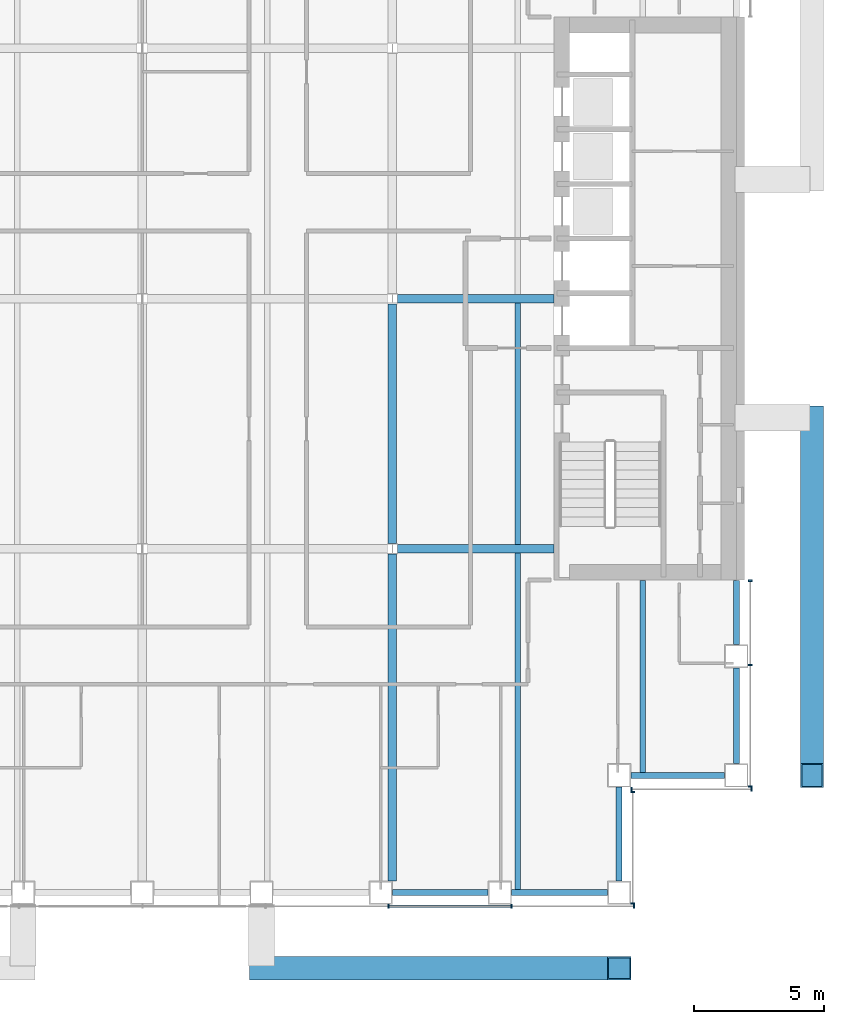
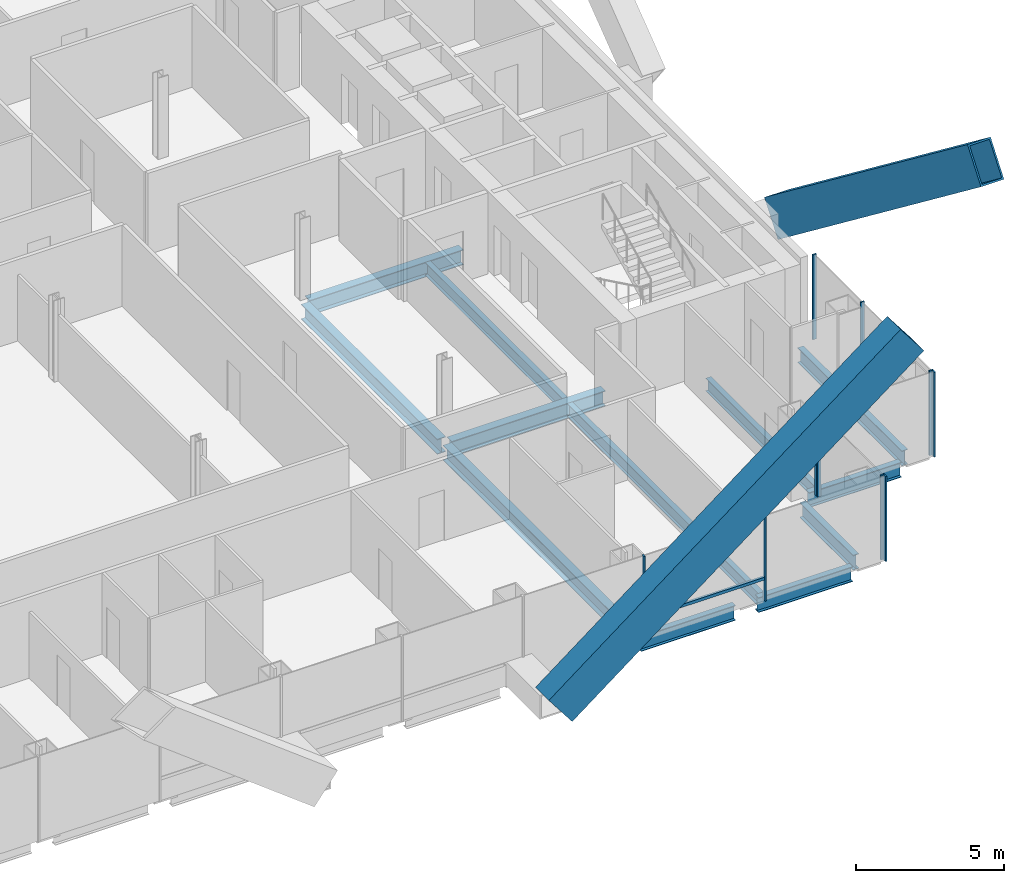
# One storey, part 5 of 17: 13 beams, 13 members, 4 elements without a shape of their own.
"""IFC4 building model written with IfcOpenShell, lengths in metres."""

from ifc_helpers import new_model, si_unit, direction, frame, origin, origin_2d, place, context, subcontext, project, spatial, rectangle, hollow_rectangle, i_section, extrude, material, material_profile, profile_set, type_object, element, aggregate, save


model = new_model("IFC4")

# Units and contexts
model_context = context("Model", 3, precision=1e-05, world=origin(), true_north=direction((0.0, 1.0)))
body_context = subcontext(model_context, "Body", "Model", "MODEL_VIEW")
ifc_project = project(units=[si_unit("LENGTHUNIT", "METRE"), si_unit("AREAUNIT", "SQUARE_METRE"), si_unit("VOLUMEUNIT", "CUBIC_METRE"), si_unit("PLANEANGLEUNIT", "RADIAN"), si_unit("MASSUNIT", "GRAM", prefix="KILO")], contexts=[model_context])

# Site, building, storey
site_placement = place(None, origin())
site = spatial("IfcSite", under=ifc_project, at=site_placement, CompositionType="ELEMENT")
building_placement = place(site_placement, origin())
building = spatial("IfcBuilding", under=site, at=building_placement, Name="Cobrizo Arcos Hotel Tower", CompositionType="ELEMENT")
storey_placement = place(building_placement, frame((0.0, 0.0, 106.5)))
storey = spatial("IfcBuildingStorey", under=building, at=storey_placement, Name="L26", CompositionType="ELEMENT", Elevation=106.5)

# Members
ifc_material_1 = material(Name="Steel ASTM A572 Grade 50", Category="steel")
ifc_material_profile_1 = material_profile(ifc_material_1, hollow_rectangle(XDim=0.89990234375, YDim=1.5, WallThickness=0.06494140625, at=origin_2d()), Name="BOX 900X1500X65")
ifc_profile_set_1 = profile_set([ifc_material_profile_1], Name="Steel ASTM A572 Grade 50")
member_type_1 = type_object("IfcMemberType", Name="BOX 900X1500X65 perimeter brace", PredefinedType="BRACE", material=ifc_profile_set_1)
for number, where, z_axis, x_axis, name in (
    (1, (25.699951171875, -4.574951171875, 0.5), (0.0, -0.794236712941, 0.607608462595), (1.0, 0.0, 0.0), "Perimeter brace PBR2, zone Z2, east face, no. 02"),
    (2, (4.574951171875, -25.699951171875, 0.5), (0.794236712941, 0.0, 0.607608462595), (0.0, 1.0, 0.0), "Perimeter brace PBR2, zone Z2, south face, no. 03"),
):
    element("IfcMember", number, at=place(storey_placement, frame(where, z_axis=z_axis, x_axis=x_axis)), inside=storey, type_object=member_type_1, Name=name, PredefinedType="BRACE", context=body_context, shape_type="SweptSolid", body=[
        extrude(hollow_rectangle(XDim=0.89990234375, YDim=1.5, WallThickness=0.06494140625, at=origin_2d()), origin(), (0.0, 0.0, 1.0), 17.28076171875),
    ])

# Curtain wall, members
ifc_material_2 = material(Name="Aluminium 6063-T6 anodised bronze", Category="aluminium")
curtain_wall_type = type_object("IfcCurtainWallType", Name="CW-A guest facade", PredefinedType="NOTDEFINED", material=ifc_material_2)
curtain_wall_1_placement = place(storey_placement, origin())
curtain_wall_1 = element("IfcCurtainWall", 3, at=curtain_wall_1_placement, inside=storey, type_object=curtain_wall_type, Name="CW-A L26 S face", PredefinedType="NOTDEFINED")
ifc_material_profile_2 = material_profile(ifc_material_2, rectangle(XDim=0.14990234375, YDim=0.06005859375, at=origin_2d()), Name="CW-A mullion 150x60")
ifc_profile_set_2 = profile_set([ifc_material_profile_2], Name="Aluminium 6063-T6 anodised bronze")
member_type_2 = type_object("IfcMemberType", Name="CW-A mullion 150x60", PredefinedType="MULLION", material=ifc_profile_set_2)
member_1_placement = place(storey_placement, frame((9.449951171875, -23.324951171875, 0.0), z_axis=(0.0, 0.0, 1.0), x_axis=(0.0, -1.0, 0.0)))
member_1 = element("IfcMember", 4, at=member_1_placement, type_object=member_type_2, Name="CW-A mullion 7", PredefinedType="MULLION", context=body_context, shape_type="SweptSolid", body=[
    extrude(rectangle(XDim=0.14990234375, YDim=0.06005859375, at=origin_2d()), origin(), (0.0, 0.0, 1.0), 3.5),
])
member_2_placement = place(storey_placement, frame((14.175048828125, -23.324951171875, 0.0), z_axis=(0.0, 0.0, 1.0), x_axis=(0.0, -1.0, 0.0)))
member_2 = element("IfcMember", 5, at=member_2_placement, type_object=member_type_2, Name="CW-A mullion 8", PredefinedType="MULLION", context=body_context, shape_type="SweptSolid", body=[
    extrude(rectangle(XDim=0.14990234375, YDim=0.06005859375, at=origin_2d()), origin(), (0.0, 0.0, 1.0), 3.5),
])
member_3_placement = place(storey_placement, frame((18.8701171875, -23.324951171875, 0.0), z_axis=(0.0, 0.0, 1.0), x_axis=(0.0, -1.0, 0.0)))
member_3 = element("IfcMember", 6, at=member_3_placement, type_object=member_type_2, Name="CW-A mullion 9", PredefinedType="MULLION", context=body_context, shape_type="SweptSolid", body=[
    extrude(rectangle(XDim=0.14990234375, YDim=0.06005859375, at=origin_2d()), origin(), (0.0, 0.0, 1.0), 3.5),
])

curtain_wall_2_placement = place(storey_placement, origin())
curtain_wall_2 = element("IfcCurtainWall", 7, at=curtain_wall_2_placement, inside=storey, type_object=curtain_wall_type, Name="CW-A L26 E face", PredefinedType="NOTDEFINED")
member_4_placement = place(storey_placement, frame((18.824951171875, -23.219970703125, 0.0), z_axis=(0.0, 0.0, 1.0), x_axis=(1.0, 0.0, 0.0)))
member_4 = element("IfcMember", 8, at=member_4_placement, type_object=member_type_2, Name="CW-A mullion 1", PredefinedType="MULLION", context=body_context, shape_type="SweptSolid", body=[
    extrude(rectangle(XDim=0.14990234375, YDim=0.06005859375, at=origin_2d()), origin(), (0.0, 0.0, 1.0), 3.5),
])
member_5_placement = place(storey_placement, frame((18.824951171875, -18.929931640625, 0.0), z_axis=(0.0, 0.0, 1.0), x_axis=(1.0, 0.0, 0.0)))
member_5 = element("IfcMember", 9, at=member_5_placement, type_object=member_type_2, Name="CW-A mullion 2", PredefinedType="MULLION", context=body_context, shape_type="SweptSolid", body=[
    extrude(rectangle(XDim=0.14990234375, YDim=0.06005859375, at=origin_2d()), origin(), (0.0, 0.0, 1.0), 3.5),
])
aggregate(curtain_wall_2, [member_4, member_5])

curtain_wall_3_placement = place(storey_placement, origin())
curtain_wall_3 = element("IfcCurtainWall", 10, at=curtain_wall_3_placement, inside=storey, type_object=curtain_wall_type, Name="CW-A L26 S face", PredefinedType="NOTDEFINED")
member_6_placement = place(storey_placement, frame((18.780029296875, -18.824951171875, 0.0), z_axis=(0.0, 0.0, 1.0), x_axis=(0.0, -1.0, 0.0)))
member_6 = element("IfcMember", 11, at=member_6_placement, type_object=member_type_2, Name="CW-A mullion 1", PredefinedType="MULLION", context=body_context, shape_type="SweptSolid", body=[
    extrude(rectangle(XDim=0.14990234375, YDim=0.06005859375, at=origin_2d()), origin(), (0.0, 0.0, 1.0), 3.5),
])
member_7_placement = place(storey_placement, frame((23.3701171875, -18.824951171875, 0.0), z_axis=(0.0, 0.0, 1.0), x_axis=(0.0, -1.0, 0.0)))
member_7 = element("IfcMember", 12, at=member_7_placement, type_object=member_type_2, Name="CW-A mullion 2", PredefinedType="MULLION", context=body_context, shape_type="SweptSolid", body=[
    extrude(rectangle(XDim=0.14990234375, YDim=0.06005859375, at=origin_2d()), origin(), (0.0, 0.0, 1.0), 3.5),
])
aggregate(curtain_wall_3, [member_6, member_7])

curtain_wall_4_placement = place(storey_placement, origin())
curtain_wall_4 = element("IfcCurtainWall", 13, at=curtain_wall_4_placement, inside=storey, type_object=curtain_wall_type, Name="CW-A L26 E face", PredefinedType="NOTDEFINED")
member_8_placement = place(storey_placement, frame((23.324951171875, -18.719970703125, 0.0), z_axis=(0.0, 0.0, 1.0), x_axis=(1.0, 0.0, 0.0)))
member_8 = element("IfcMember", 14, at=member_8_placement, type_object=member_type_2, Name="CW-A mullion 1", PredefinedType="MULLION", context=body_context, shape_type="SweptSolid", body=[
    extrude(rectangle(XDim=0.14990234375, YDim=0.06005859375, at=origin_2d()), origin(), (0.0, 0.0, 1.0), 3.5),
])
member_9_placement = place(storey_placement, frame((23.324951171875, -14.0625, 0.0), z_axis=(0.0, 0.0, 1.0), x_axis=(1.0, 0.0, 0.0)))
member_9 = element("IfcMember", 15, at=member_9_placement, type_object=member_type_2, Name="CW-A mullion 2", PredefinedType="MULLION", context=body_context, shape_type="SweptSolid", body=[
    extrude(rectangle(XDim=0.14990234375, YDim=0.06005859375, at=origin_2d()), origin(), (0.0, 0.0, 1.0), 3.5),
])
member_10_placement = place(storey_placement, frame((23.324951171875, -10.830078125, 0.0), z_axis=(0.0, 0.0, 1.0), x_axis=(1.0, 0.0, 0.0)))
member_10 = element("IfcMember", 16, at=member_10_placement, type_object=member_type_2, Name="CW-A mullion 3", PredefinedType="MULLION", context=body_context, shape_type="SweptSolid", body=[
    extrude(rectangle(XDim=0.14990234375, YDim=0.06005859375, at=origin_2d()), origin(), (0.0, 0.0, 1.0), 3.5),
])
aggregate(curtain_wall_4, [member_8, member_9, member_10])

# Member
ifc_material_profile_3 = material_profile(ifc_material_2, rectangle(XDim=0.10009765625, YDim=0.1201171875, at=origin_2d()), Name="CW-A transom 120x100")
ifc_profile_set_3 = profile_set([ifc_material_profile_3], Name="Aluminium 6063-T6 anodised bronze")
member_type_3 = type_object("IfcMemberType", Name="CW-A transom 120x100", PredefinedType="USERDEFINED", material=ifc_profile_set_3)
member_11_placement = place(storey_placement, frame((9.47998046875, -23.324951171875, 0.929931640625), z_axis=(1.0, 0.0, 0.0), x_axis=(0.0, 1.0, 0.0)))
member_11 = element("IfcMember", 17, at=member_11_placement, type_object=member_type_3, Name="CW-A transom 1017", ObjectType="TRANSOM", PredefinedType="USERDEFINED", context=body_context, shape_type="SweptSolid", body=[
    extrude(rectangle(XDim=0.10009765625, YDim=0.1201171875, at=origin_2d()), origin(), (0.0, 0.0, 1.0), 4.6650390625),
])

aggregate(curtain_wall_1, [member_1, member_2, member_3, member_11])

# Beams
ifc_material_3 = material(Name="Steel ASTM A992 Grade 50", Category="steel")
ifc_material_profile_4 = material_profile(ifc_material_3, i_section(OverallWidth=0.209228515625, OverallDepth=0.533447265625, WebThickness=0.01025390625, FlangeThickness=0.015625, at=origin_2d()), Name="W21X62")
ifc_profile_set_4 = profile_set([ifc_material_profile_4], Name="Steel ASTM A992 Grade 50")
beam_type_1 = type_object("IfcBeamType", Name="W21X62 joist", PredefinedType="JOIST", material=ifc_profile_set_4)
beam_1_placement = place(storey_placement, frame((14.39990234375, -22.7099609375, -0.416748046875), z_axis=(0.0, 1.0, 0.0), x_axis=(-1.0, 0.0, 0.0)))
element("IfcBeam", 18, at=beam_1_placement, inside=storey, type_object=beam_type_1, Name="Floor joist J1, L26, no. 015", PredefinedType="JOIST", context=body_context, shape_type="SweptSolid", body=[
    extrude(i_section(OverallWidth=0.209228515625, OverallDepth=0.533447265625, WebThickness=0.01025390625, FlangeThickness=0.015625, at=origin_2d()), origin(), (0.0, 0.0, 1.0), 12.946044921875),
])
beam_2_placement = place(storey_placement, frame((14.39990234375, -9.43603515625, -0.416748046875), z_axis=(0.0, 1.0, 0.0), x_axis=(-1.0, 0.0, 0.0)))
element("IfcBeam", 19, at=beam_2_placement, inside=storey, type_object=beam_type_1, Name="Floor joist J1, L26, no. 016", PredefinedType="JOIST", context=body_context, shape_type="SweptSolid", body=[
    extrude(i_section(OverallWidth=0.209228515625, OverallDepth=0.533447265625, WebThickness=0.01025390625, FlangeThickness=0.015625, at=origin_2d()), origin(), (0.0, 0.0, 1.0), 9.272216796875),
])
beam_3_placement = place(storey_placement, frame((19.199951171875, -18.2099609375, -0.416748046875), z_axis=(0.0, 1.0, 0.0), x_axis=(-1.0, 0.0, 0.0)))
element("IfcBeam", 20, at=beam_3_placement, inside=storey, type_object=beam_type_1, Name="Floor joist J1, L26, no. 019", PredefinedType="JOIST", context=body_context, shape_type="SweptSolid", body=[
    extrude(i_section(OverallWidth=0.209228515625, OverallDepth=0.533447265625, WebThickness=0.01025390625, FlangeThickness=0.015625, at=origin_2d()), origin(), (0.0, 0.0, 1.0), 7.39990234375),
])
ifc_material_profile_5 = material_profile(ifc_material_3, i_section(OverallWidth=0.32763671875, OverallDepth=0.622314453125, WebThickness=0.015380859375, FlangeThickness=0.0244140625, at=origin_2d()), Name="W24X131")
ifc_profile_set_5 = profile_set([ifc_material_profile_5], Name="Steel ASTM A992 Grade 50")
beam_type_2 = type_object("IfcBeamType", Name="W24X131 girder", PredefinedType="BEAM", material=ifc_profile_set_5)
for number, where, z_axis, x_axis, name in (
    (21, (9.79931640625, -9.60009765625, -0.461181640625), (1.0, 0.0, 0.0), (0.0, 1.0, 0.0), "Floor girder G1, L26, no. 004"),
    (22, (9.79931640625, 0.0, -0.461181640625), (1.0, 0.0, 0.0), (0.0, 1.0, 0.0), "Floor girder G1, L26, no. 008"),
):
    element("IfcBeam", number, at=place(storey_placement, frame(where, z_axis=z_axis, x_axis=x_axis)), inside=storey, type_object=beam_type_2, Name=name, PredefinedType="BEAM", context=body_context, shape_type="SweptSolid", body=[
        extrude(i_section(OverallWidth=0.32763671875, OverallDepth=0.622314453125, WebThickness=0.015380859375, FlangeThickness=0.0244140625, at=origin_2d()), origin(), (0.0, 0.0, 1.0), 5.99072265625),
    ])
beam_4_placement = place(storey_placement, frame((9.60009765625, -22.35009765625, -0.461181640625), z_axis=(0.0, 1.0, 0.0), x_axis=(-1.0, 0.0, 0.0)))
element("IfcBeam", 23, at=beam_4_placement, inside=storey, type_object=beam_type_2, Name="Floor girder G1, L26, no. 021", PredefinedType="BEAM", context=body_context, shape_type="SweptSolid", body=[
    extrude(i_section(OverallWidth=0.32763671875, OverallDepth=0.622314453125, WebThickness=0.015380859375, FlangeThickness=0.0244140625, at=origin_2d()), origin(), (0.0, 0.0, 1.0), 12.55078125),
])
beam_5_placement = place(storey_placement, frame((9.60009765625, -9.400634765625, -0.461181640625), z_axis=(0.0, 1.0, 0.0), x_axis=(-1.0, 0.0, 0.0)))
element("IfcBeam", 24, at=beam_5_placement, inside=storey, type_object=beam_type_2, Name="Floor girder G1, L26, no. 022", PredefinedType="BEAM", context=body_context, shape_type="SweptSolid", body=[
    extrude(i_section(OverallWidth=0.32763671875, OverallDepth=0.622314453125, WebThickness=0.015380859375, FlangeThickness=0.0244140625, at=origin_2d()), origin(), (0.0, 0.0, 1.0), 9.201171875),
])
ifc_material_profile_6 = material_profile(ifc_material_3, i_section(OverallWidth=0.23046875, OverallDepth=0.6171875, WebThickness=0.01318359375, FlangeThickness=0.022216796875, at=origin_2d()), Name="W24X94")
ifc_profile_set_6 = profile_set([ifc_material_profile_6], Name="Steel ASTM A992 Grade 50")
beam_type_3 = type_object("IfcBeamType", Name="W24X94 spandrel", PredefinedType="SPANDREL", material=ifc_profile_set_6)
beam_6_placement = place(storey_placement, frame((9.60009765625, -22.800048828125, -0.45849609375), z_axis=(1.0, 0.0, 0.0), x_axis=(0.0, 1.0, 0.0)))
element("IfcBeam", 25, at=beam_6_placement, inside=storey, type_object=beam_type_3, Name="Spandrel beam W24X94, L26, no. 007", PredefinedType="SPANDREL", context=body_context, shape_type="SweptSolid", body=[
    extrude(i_section(OverallWidth=0.23046875, OverallDepth=0.6171875, WebThickness=0.01318359375, FlangeThickness=0.022216796875, at=origin_2d()), origin(), (0.0, 0.0, 1.0), 3.6748046875),
])
beam_7_placement = place(storey_placement, frame((14.175048828125, -22.800048828125, -0.45849609375), z_axis=(1.0, 0.0, 0.0), x_axis=(0.0, 1.0, 0.0)))
element("IfcBeam", 26, at=beam_7_placement, inside=storey, type_object=beam_type_3, Name="Spandrel beam W24X94, L26, no. 008", PredefinedType="SPANDREL", context=body_context, shape_type="SweptSolid", body=[
    extrude(i_section(OverallWidth=0.23046875, OverallDepth=0.6171875, WebThickness=0.01318359375, FlangeThickness=0.022216796875, at=origin_2d()), origin(), (0.0, 0.0, 1.0), 3.675048828125),
])
for number, where, z_axis, x_axis, name in (
    (27, (18.300048828125, -22.35009765625, -0.45849609375), (0.0, 1.0, 0.0), (-1.0, 0.0, 0.0), "Spandrel beam W24X94, L26, no. 009"),
    (28, (18.75, -18.300048828125, -0.45849609375), (1.0, 0.0, 0.0), (0.0, 1.0, 0.0), "Spandrel beam W24X94, L26, no. 010"),
):
    element("IfcBeam", number, at=place(storey_placement, frame(where, z_axis=z_axis, x_axis=x_axis)), inside=storey, type_object=beam_type_3, Name=name, PredefinedType="SPANDREL", context=body_context, shape_type="SweptSolid", body=[
        extrude(i_section(OverallWidth=0.23046875, OverallDepth=0.6171875, WebThickness=0.01318359375, FlangeThickness=0.022216796875, at=origin_2d()), origin(), (0.0, 0.0, 1.0), 3.60009765625),
    ])
beam_8_placement = place(storey_placement, frame((22.800048828125, -17.85009765625, -0.45849609375), z_axis=(0.0, 1.0, 0.0), x_axis=(-1.0, 0.0, 0.0)))
element("IfcBeam", 29, at=beam_8_placement, inside=storey, type_object=beam_type_3, Name="Spandrel beam W24X94, L26, no. 011", PredefinedType="SPANDREL", context=body_context, shape_type="SweptSolid", body=[
    extrude(i_section(OverallWidth=0.23046875, OverallDepth=0.6171875, WebThickness=0.01318359375, FlangeThickness=0.022216796875, at=origin_2d()), origin(), (0.0, 0.0, 1.0), 3.675048828125),
])
beam_9_placement = place(storey_placement, frame((22.800048828125, -13.27490234375, -0.45849609375), z_axis=(0.0, 1.0, 0.0), x_axis=(-1.0, 0.0, 0.0)))
element("IfcBeam", 30, at=beam_9_placement, inside=storey, type_object=beam_type_3, Name="Spandrel beam W24X94, L26, no. 012", PredefinedType="SPANDREL", context=body_context, shape_type="SweptSolid", body=[
    extrude(i_section(OverallWidth=0.23046875, OverallDepth=0.6171875, WebThickness=0.01318359375, FlangeThickness=0.022216796875, at=origin_2d()), origin(), (0.0, 0.0, 1.0), 2.46484375),
])

save(model, "model.ifc")
